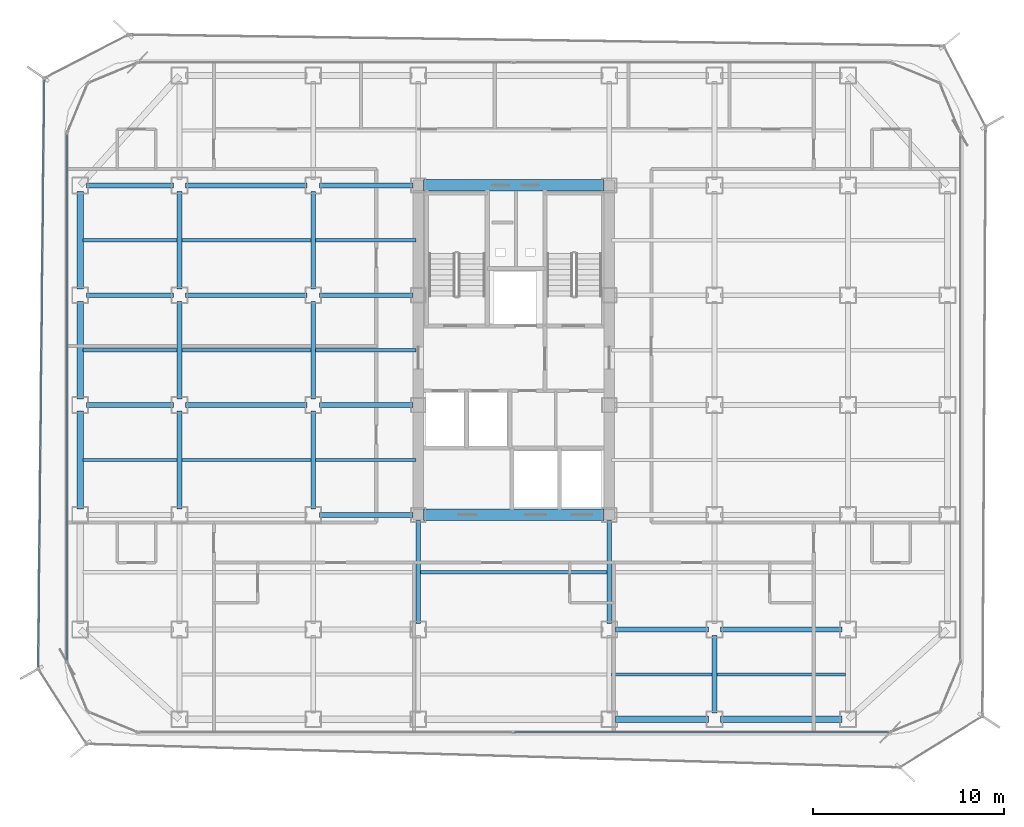
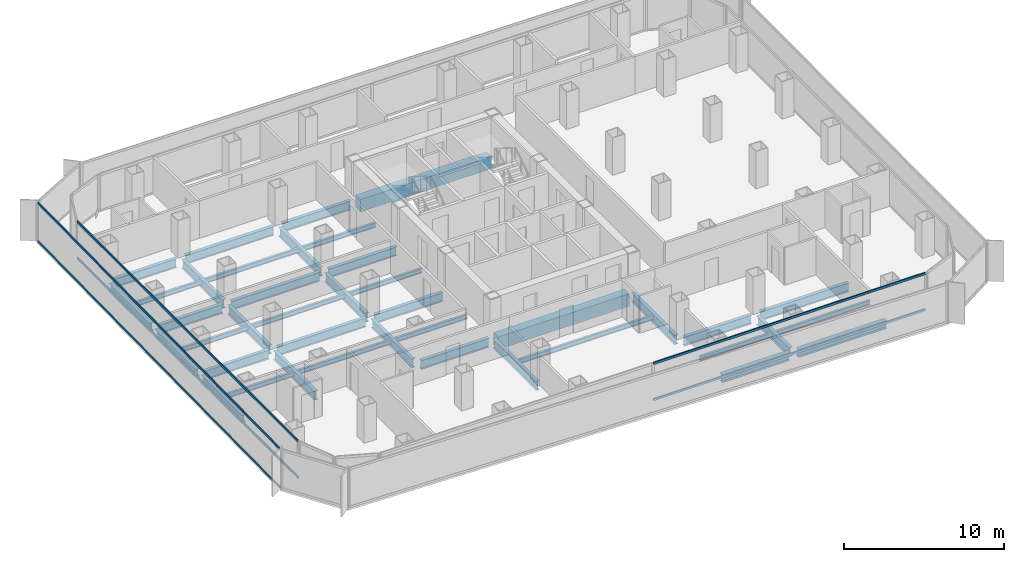
# One storey, part 5 of 21: 40 beams, 6 members, 3 elements without a shape of their own.
"""IFC4 building model written with IfcOpenShell, lengths in metres."""

import ifcopenshell
import ifcopenshell.guid

model = None  # the IFC model being written
_history = None  # IfcOwnerHistory: only IFC2X3 demands one
_inside = {}  # id of a spatial element -> (the spatial element, [elements in it])
_under = {}  # id of a project, library or spatial element -> (it, [spatial elements below it])
_declared = {}  # id of a project -> (the project, [libraries it declares])
_typed = {}  # id of a type object -> (the type object, [elements of that type])
_made_of = {}  # id of a material, layer set ... -> (it, [elements and type objects made of it])


def new_model(schema):
    """Start an empty IFC model of exactly this schema.

    Asked for "IFC4X3", IfcOpenShell would pick the latest addendum, in which some entities
    have other attributes; the version numbers below select the first issue.
    IFC2X3 requires an IfcOwnerHistory on every rooted entity: one is made here for all.
    """
    global model, _history
    if schema == "IFC4X3":
        model = ifcopenshell.file(schema_version=(4, 3, 0, 0))
    else:
        model = ifcopenshell.file(schema=schema)
    _inside.clear()
    _under.clear()
    _declared.clear()
    _typed.clear()
    _made_of.clear()
    _history = None
    if model.schema == "IFC2X3":
        org = make("IfcOrganization", Name="unknown")
        user = make(
            "IfcPersonAndOrganization",
            ThePerson=make("IfcPerson", FamilyName="unknown"),
            TheOrganization=org,
        )
        app = make(
            "IfcApplication",
            ApplicationDeveloper=org,
            Version="unknown",
            ApplicationFullName="unknown",
            ApplicationIdentifier="unknown",
        )
        _history = make(
            "IfcOwnerHistory",
            OwningUser=user,
            OwningApplication=app,
            ChangeAction="ADDED",
            CreationDate=0,
        )
    return model


def make(cls, **values):
    """One entity of the class cls with the attributes given. An attribute that is None is left unset."""
    return model.create_entity(
        cls, **{name: value for name, value in values.items() if value is not None}
    )


def rooted(cls, **values):
    """An entity with a GlobalId (a new one), such as an element, a storey or a relation."""
    return make(cls, GlobalId=ifcopenshell.guid.new(), OwnerHistory=_history, **values)


def si_unit(unit_type, name, prefix=None):
    """IfcSIUnit, for example si_unit("LENGTHUNIT", "METRE", prefix="MILLI")."""
    return make("IfcSIUnit", UnitType=unit_type, Prefix=prefix, Name=name)


def assignment(units):
    """IfcUnitAssignment: the units of a project."""
    return None if units is None else make("IfcUnitAssignment", Units=units)


def point(xyz):
    """IfcCartesianPoint."""
    return None if xyz is None else make("IfcCartesianPoint", Coordinates=xyz)


def direction(xyz):
    """IfcDirection."""
    return None if xyz is None else make("IfcDirection", DirectionRatios=xyz)


def frame(location, z_axis=None, x_axis=None):
    """IfcAxis2Placement3D, a coordinate frame: its origin and axes. An axis left out is left unset."""
    return make(
        "IfcAxis2Placement3D",
        Location=point(location),
        Axis=direction(z_axis),
        RefDirection=direction(x_axis),
    )


def frame_2d(location, x_axis=None):
    """IfcAxis2Placement2D, a coordinate frame in the plane: its origin and x axis."""
    return make(
        "IfcAxis2Placement2D", Location=point(location), RefDirection=direction(x_axis)
    )


def origin():
    """The frame at (0, 0, 0) with its axes left unset."""
    return frame((0.0, 0.0, 0.0))


def origin_2d():
    """The frame at (0, 0) in the plane with its x axis left unset."""
    return frame_2d((0.0, 0.0))


def place(relative_to, where):
    """IfcLocalPlacement: puts the frame where relative to a parent placement (None: the world)."""
    return make(
        "IfcLocalPlacement", PlacementRelTo=relative_to, RelativePlacement=where
    )


def context(
    kind, dimensions, precision=None, world=None, true_north=None, identifier=None
):
    """IfcGeometricRepresentationContext, for example the 3D "Model" context."""
    return make(
        "IfcGeometricRepresentationContext",
        ContextIdentifier=identifier,
        ContextType=kind,
        CoordinateSpaceDimension=dimensions,
        Precision=precision,
        WorldCoordinateSystem=world,
        TrueNorth=true_north,
    )


def subcontext(parent, identifier, kind, view, scale=None):
    """IfcGeometricRepresentationSubContext, for example "Body" below "Model"."""
    return make(
        "IfcGeometricRepresentationSubContext",
        ContextIdentifier=identifier,
        ContextType=kind,
        ParentContext=parent,
        TargetScale=scale,
        TargetView=view,
    )


def project(units=None, contexts=None):
    """IfcProject with its units and contexts."""
    return rooted(
        "IfcProject",
        Name="project",
        RepresentationContexts=contexts,
        UnitsInContext=assignment(units),
    )


def spatial(cls, under=None, at=None, **own):
    """A site, building, storey or space (cls), placed at a placement, below another one or the project."""
    s = rooted(cls, ObjectPlacement=at, **own)
    if under is not None:
        _under.setdefault(under.id(), (under, []))[1].append(s)
    return s


def profile(cls, at=None, kind="AREA", **sizes):
    """A parametric profile (cls). Its sizes go by their IFC names, for example OverallWidth=200.0."""
    return make(cls, ProfileType=kind, Position=at, **sizes)


def rectangle(**sizes):
    """IfcRectangleProfileDef."""
    return profile("IfcRectangleProfileDef", **sizes)


def hollow_rectangle(**sizes):
    """IfcRectangleHollowProfileDef."""
    return profile("IfcRectangleHollowProfileDef", **sizes)


def i_section(**sizes):
    """IfcIShapeProfileDef."""
    return profile("IfcIShapeProfileDef", **sizes)


def extrude(swept, where, along, depth):
    """IfcExtrudedAreaSolid: the profile swept, set in the frame where, extruded along a direction by depth."""
    return make(
        "IfcExtrudedAreaSolid",
        SweptArea=swept,
        Position=where,
        ExtrudedDirection=direction(along),
        Depth=depth,
    )


def shape(context_of_items, identifier, shape_type, items):
    """IfcShapeRepresentation: the items that make up one representation, for example the "Body"."""
    return make(
        "IfcShapeRepresentation",
        ContextOfItems=context_of_items,
        RepresentationIdentifier=identifier,
        RepresentationType=shape_type,
        Items=items,
    )


def source(mapping_origin, context_of_items, identifier, shape_type, items):
    """IfcRepresentationMap: a shape defined once, which mapped items show again and again."""
    return make(
        "IfcRepresentationMap",
        MappingOrigin=mapping_origin,
        MappedRepresentation=shape(context_of_items, identifier, shape_type, items),
    )


def transform(
    local_origin,
    x_axis=None,
    y_axis=None,
    z_axis=None,
    scale=None,
    scale2=None,
    scale3=None,
    uniform=True,
):
    """IfcCartesianTransformationOperator3D, or its non-uniform kind. x_axis, y_axis, z_axis: its Axis1, 2, 3."""
    if uniform:
        return make(
            "IfcCartesianTransformationOperator3D",
            Axis1=direction(x_axis),
            Axis2=direction(y_axis),
            LocalOrigin=point(local_origin),
            Scale=scale,
            Axis3=direction(z_axis),
        )
    return make(
        "IfcCartesianTransformationOperator3DnonUniform",
        Axis1=direction(x_axis),
        Axis2=direction(y_axis),
        LocalOrigin=point(local_origin),
        Scale=scale,
        Axis3=direction(z_axis),
        Scale2=scale2,
        Scale3=scale3,
    )


def mapped(mapping_source, mapping_target):
    """IfcMappedItem: shows the shape of a source again, moved by a transform."""
    return make(
        "IfcMappedItem", MappingSource=mapping_source, MappingTarget=mapping_target
    )


def material(Name=None, Category=None):
    """IfcMaterial."""
    return make("IfcMaterial", Name=Name, Category=Category)


def layer(
    of_material, thickness, ventilated=None, Name=None, Category=None, Priority=None
):
    """IfcMaterialLayer: one layer of a wall or slab, of a material (None: an air gap)."""
    return make(
        "IfcMaterialLayer",
        Material=of_material,
        LayerThickness=thickness,
        IsVentilated=ventilated,
        Name=Name,
        Category=Category,
        Priority=Priority,
    )


def layer_set(layers, Name=None):
    """IfcMaterialLayerSet."""
    return make("IfcMaterialLayerSet", MaterialLayers=layers, LayerSetName=Name)


def material_profile(
    of_material, cross_section, Name=None, Category=None, Priority=None
):
    """IfcMaterialProfile: a cross section and its material."""
    return make(
        "IfcMaterialProfile",
        Name=Name,
        Material=of_material,
        Profile=cross_section,
        Priority=Priority,
        Category=Category,
    )


def profile_set(profiles, Name=None, composite=None):
    """IfcMaterialProfileSet."""
    return make(
        "IfcMaterialProfileSet",
        Name=Name,
        MaterialProfiles=profiles,
        CompositeProfile=composite,
    )


def made_of(thing, what):
    """Note that an element or type object is made of a material, layer set ...; save() writes the relation."""
    if what is not None:
        _made_of.setdefault(what.id(), (what, []))[1].append(thing)
    return thing


def type_object(cls, material=None, **own):
    """A type object (cls), such as IfcWallType, which elements share."""
    return made_of(rooted(cls, **own), material)


def element(
    cls,
    number,
    at=None,
    inside=None,
    cuts=None,
    type_object=None,
    material=None,
    context=None,
    identifier="Body",
    shape_type=None,
    held_by="IfcProductDefinitionShape",
    body=None,
    shapes=None,
    **own,
):
    """One element of the class cls, such as IfcWall. Its Tag is "e" and its number.

    at: its placement. inside: the storey or other place that contains it. cuts: it is an
    opening in that element (IfcRelVoidsElement). A single representation is given by context,
    identifier, shape_type and body (its items); several are given by shapes. held_by: the class
    of the entity that holds the representations. save() writes the other relations.
    """
    e = rooted(cls, Tag="e%d" % number, ObjectPlacement=at, **own)
    if body is not None:
        shapes = [shape(context, identifier, shape_type, body)]
    if shapes is not None:
        e.Representation = make(held_by, Representations=shapes)
    if inside is not None:
        _inside.setdefault(inside.id(), (inside, []))[1].append(e)
    if cuts is not None:
        rooted(
            "IfcRelVoidsElement", RelatingBuildingElement=cuts, RelatedOpeningElement=e
        )
    if type_object is not None:
        _typed.setdefault(type_object.id(), (type_object, []))[1].append(e)
    return made_of(e, material)


def aggregate(whole, parts):
    """IfcRelAggregates: a whole, such as a stair, and the parts it consists of."""
    return rooted("IfcRelAggregates", RelatingObject=whole, RelatedObjects=parts)


def save(model, path):
    """Write the relations noted so far, then the file.

    IfcRelAggregates (storeys below a building ...), IfcRelContainedInSpatialStructure (elements
    in a storey), IfcRelDefinesByType, IfcRelAssociatesMaterial and IfcRelDeclares: one each for
    every whole, place, type object, material and project.
    """
    for whole, parts in _under.values():
        aggregate(whole, parts)
    for where, things in _inside.values():
        rooted(
            "IfcRelContainedInSpatialStructure",
            RelatedElements=things,
            RelatingStructure=where,
        )
    for kind, things in _typed.values():
        rooted("IfcRelDefinesByType", RelatedObjects=things, RelatingType=kind)
    for what, things in _made_of.values():
        rooted("IfcRelAssociatesMaterial", RelatedObjects=things, RelatingMaterial=what)
    for by, libraries in _declared.values():
        rooted("IfcRelDeclares", RelatingContext=by, RelatedDefinitions=libraries)
    model.write(path)


model = new_model("IFC4")

# Units and contexts
model_context = context("Model", 3, precision=1e-05, world=origin(), true_north=direction((0.0, 1.0)))
body_context = subcontext(model_context, "Body", "Model", "MODEL_VIEW")
ifc_project = project(units=[si_unit("LENGTHUNIT", "METRE"), si_unit("AREAUNIT", "SQUARE_METRE"), si_unit("VOLUMEUNIT", "CUBIC_METRE"), si_unit("PLANEANGLEUNIT", "RADIAN"), si_unit("MASSUNIT", "GRAM", prefix="KILO")], contexts=[model_context])

# Site, building, storey
site_placement = place(None, origin())
site = spatial("IfcSite", under=ifc_project, at=site_placement, CompositionType="ELEMENT")
building_placement = place(site_placement, origin())
building = spatial("IfcBuilding", under=site, at=building_placement, Name="Kolveth Station Tower", CompositionType="ELEMENT")
storey_placement = place(building_placement, frame((0.0, 0.0, 148.39990234375)))
storey = spatial("IfcBuildingStorey", under=building, at=storey_placement, Name="L41", CompositionType="ELEMENT", Elevation=148.39990234375)

# Beams
ifc_material_1 = material(Name="Steel S355", Category="steel")
ifc_material_profile_1 = material_profile(ifc_material_1, i_section(OverallWidth=0.323974609375, OverallDepth=0.611083984375, WebThickness=0.0126953125, FlangeThickness=0.01904296875, at=origin_2d()), Name="W610x155")
ifc_profile_set_1 = profile_set([ifc_material_profile_1], Name="Steel S355")
beam_type_1 = type_object("IfcBeamType", Name="Beam_SP2", PredefinedType="SPANDREL", material=ifc_profile_set_1)
shared_shape_1 = source(origin(), body_context, "Body", "SweptSolid", [
    extrude(i_section(OverallWidth=0.323974609375, OverallDepth=0.611083984375, WebThickness=0.0126953125, FlangeThickness=0.01904296875, at=origin_2d()), origin(), (0.0, 0.0, 1.0), 6.35986328125),
])
beam_1_placement = place(storey_placement, frame((34.320068359375, 0.800048828125, -0.555419921875), z_axis=(1.0, 0.0, 0.0), x_axis=(0.0, 1.0, 0.0)))
element("IfcBeam", 1, at=beam_1_placement, inside=storey, type_object=beam_type_1, Name="L41 Perimeter Spandrel BM-L41-PS-5", PredefinedType="SPANDREL", context=body_context, shape_type="MappedRepresentation", body=[
    mapped(shared_shape_1, transform((0.0, 0.0, 0.0), x_axis=(1.0, 0.0, 0.0), y_axis=(0.0, 1.0, 0.0), z_axis=(0.0, 0.0, 1.0), scale=1.0)),
])
shared_shape_2 = source(origin(), body_context, "Body", "SweptSolid", [
    extrude(i_section(OverallWidth=0.323974609375, OverallDepth=0.611083984375, WebThickness=0.0126953125, FlangeThickness=0.01904296875, at=origin_2d()), origin(), (0.0, 0.0, 1.0), 4.85986328125),
])
beam_2_placement = place(storey_placement, frame((28.820068359375, 0.800048828125, -0.555419921875), z_axis=(1.0, 0.0, 0.0), x_axis=(0.0, 1.0, 0.0)))
element("IfcBeam", 2, at=beam_2_placement, inside=storey, type_object=beam_type_1, Name="L41 Perimeter Spandrel BM-L41-PS-4", PredefinedType="SPANDREL", context=body_context, shape_type="MappedRepresentation", body=[
    mapped(shared_shape_2, transform((0.0, 0.0, 0.0), x_axis=(1.0, 0.0, 0.0), y_axis=(0.0, 1.0, 0.0), z_axis=(0.0, 0.0, 1.0), scale=1.0)),
])
shared_shape_3 = source(origin(), body_context, "Body", "SweptSolid", [
    extrude(i_section(OverallWidth=0.323974609375, OverallDepth=0.611083984375, WebThickness=0.0126953125, FlangeThickness=0.01904296875, at=origin_2d()), origin(), (0.0, 0.0, 1.0), 5.10986328125),
])
for number, where, z_axis, x_axis, name in (
    (3, (0.800048828125, 11.820068359375, -0.555419921875), (0.0, 1.0, 0.0), (-1.0, 0.0, 0.0), "L41 Perimeter Spandrel BM-L41-PW-2"),
    (4, (0.800048828125, 17.570068359375, -0.555419921875), (0.0, 1.0, 0.0), (-1.0, 0.0, 0.0), "L41 Perimeter Spandrel BM-L41-PW-3"),
    (5, (0.800048828125, 23.320068359375, -0.555419921875), (0.0, 1.0, 0.0), (-1.0, 0.0, 0.0), "L41 Perimeter Spandrel BM-L41-PW-4"),
):
    element("IfcBeam", number, at=place(storey_placement, frame(where, z_axis=z_axis, x_axis=x_axis)), inside=storey, type_object=beam_type_1, Name=name, PredefinedType="SPANDREL", context=body_context, shape_type="MappedRepresentation", body=[
        mapped(shared_shape_3, transform((0.0, 0.0, 0.0), x_axis=(1.0, 0.0, 0.0), y_axis=(0.0, 1.0, 0.0), z_axis=(0.0, 0.0, 1.0), scale=1.0)),
    ])
ifc_material_profile_2 = material_profile(ifc_material_1, i_section(OverallWidth=0.25390625, OverallDepth=0.68798828125, WebThickness=0.01318359375, FlangeThickness=0.02099609375, at=origin_2d()), Name="W690x152")
ifc_profile_set_2 = profile_set([ifc_material_profile_2], Name="Steel S355")
beam_type_2 = type_object("IfcBeamType", Name="Beam_B4", PredefinedType="BEAM", material=ifc_profile_set_2)
shared_shape_4 = source(origin(), body_context, "Body", "SweptSolid", [
    extrude(i_section(OverallWidth=0.25390625, OverallDepth=0.68798828125, WebThickness=0.01318359375, FlangeThickness=0.02099609375, at=origin_2d()), origin(), (0.0, 0.0, 1.0), 4.559814453125),
])
for number, where, z_axis, x_axis, name in (
    (6, (1.1201171875, 17.25, -0.593994140625), (1.0, 0.0, 0.0), (0.0, 1.0, 0.0), "L41 Primary Girder BM-L41-GY172-1"),
    (7, (1.1201171875, 23.0, -0.593994140625), (1.0, 0.0, 0.0), (0.0, 1.0, 0.0), "L41 Primary Girder BM-L41-GY230-1"),
    (8, (1.1201171875, 28.75, -0.593994140625), (1.0, 0.0, 0.0), (0.0, 1.0, 0.0), "L41 Primary Girder BM-L41-GY287-1"),
):
    element("IfcBeam", number, at=place(storey_placement, frame(where, z_axis=z_axis, x_axis=x_axis)), inside=storey, type_object=beam_type_2, Name=name, PredefinedType="BEAM", context=body_context, shape_type="MappedRepresentation", body=[
        mapped(shared_shape_4, transform((0.0, 0.0, 0.0), x_axis=(1.0, 0.0, 0.0), y_axis=(0.0, 1.0, 0.0), z_axis=(0.0, 0.0, 1.0), scale=1.0)),
    ])
shared_shape_5 = source(origin(), body_context, "Body", "SweptSolid", [
    extrude(i_section(OverallWidth=0.25390625, OverallDepth=0.68798828125, WebThickness=0.01318359375, FlangeThickness=0.02099609375, at=origin_2d()), origin(), (0.0, 0.0, 1.0), 6.35986328125),
])
for number, where, z_axis, x_axis, name in (
    (9, (34.320068359375, 5.5, -0.593994140625), (1.0, 0.0, 0.0), (0.0, 1.0, 0.0), "L41 Primary Girder BM-L41-GY55-6"),
    (10, (6.320068359375, 17.25, -0.593994140625), (1.0, 0.0, 0.0), (0.0, 1.0, 0.0), "L41 Primary Girder BM-L41-GY172-2"),
    (11, (6.320068359375, 23.0, -0.593994140625), (1.0, 0.0, 0.0), (0.0, 1.0, 0.0), "L41 Primary Girder BM-L41-GY230-2"),
    (12, (6.320068359375, 28.75, -0.593994140625), (1.0, 0.0, 0.0), (0.0, 1.0, 0.0), "L41 Primary Girder BM-L41-GY287-2"),
):
    element("IfcBeam", number, at=place(storey_placement, frame(where, z_axis=z_axis, x_axis=x_axis)), inside=storey, type_object=beam_type_2, Name=name, PredefinedType="BEAM", context=body_context, shape_type="MappedRepresentation", body=[
        mapped(shared_shape_5, transform((0.0, 0.0, 0.0), x_axis=(1.0, 0.0, 0.0), y_axis=(0.0, 1.0, 0.0), z_axis=(0.0, 0.0, 1.0), scale=1.0)),
    ])
shared_shape_6 = source(origin(), body_context, "Body", "SweptSolid", [
    extrude(i_section(OverallWidth=0.25390625, OverallDepth=0.68798828125, WebThickness=0.01318359375, FlangeThickness=0.02099609375, at=origin_2d()), origin(), (0.0, 0.0, 1.0), 4.85986328125),
])
beam_3_placement = place(storey_placement, frame((28.820068359375, 5.5, -0.593994140625), z_axis=(1.0, 0.0, 0.0), x_axis=(0.0, 1.0, 0.0)))
element("IfcBeam", 13, at=beam_3_placement, inside=storey, type_object=beam_type_2, Name="L41 Primary Girder BM-L41-GY55-5", PredefinedType="BEAM", context=body_context, shape_type="MappedRepresentation", body=[
    mapped(shared_shape_6, transform((0.0, 0.0, 0.0), x_axis=(1.0, 0.0, 0.0), y_axis=(0.0, 1.0, 0.0), z_axis=(0.0, 0.0, 1.0), scale=1.0)),
])
shared_shape_7 = source(origin(), body_context, "Body", "SweptSolid", [
    extrude(i_section(OverallWidth=0.25390625, OverallDepth=0.68798828125, WebThickness=0.01318359375, FlangeThickness=0.02099609375, at=origin_2d()), origin(), (0.0, 0.0, 1.0), 4.89990234375),
])
for number, where, z_axis, x_axis, name in (
    (14, (13.320068359375, 11.5, -0.593994140625), (1.0, 0.0, 0.0), (0.0, 1.0, 0.0), "L41 Primary Girder BM-L41-GY115-3"),
    (15, (13.320068359375, 17.25, -0.593994140625), (1.0, 0.0, 0.0), (0.0, 1.0, 0.0), "L41 Primary Girder BM-L41-GY172-3"),
    (16, (13.320068359375, 23.0, -0.593994140625), (1.0, 0.0, 0.0), (0.0, 1.0, 0.0), "L41 Primary Girder BM-L41-GY230-3"),
    (17, (13.320068359375, 28.75, -0.593994140625), (1.0, 0.0, 0.0), (0.0, 1.0, 0.0), "L41 Primary Girder BM-L41-GY287-3"),
):
    element("IfcBeam", number, at=place(storey_placement, frame(where, z_axis=z_axis, x_axis=x_axis)), inside=storey, type_object=beam_type_2, Name=name, PredefinedType="BEAM", context=body_context, shape_type="MappedRepresentation", body=[
        mapped(shared_shape_7, transform((0.0, 0.0, 0.0), x_axis=(1.0, 0.0, 0.0), y_axis=(0.0, 1.0, 0.0), z_axis=(0.0, 0.0, 1.0), scale=1.0)),
    ])
ifc_material_2 = material(Name="Concrete C60/75", Category="concrete")
ifc_material_profile_3 = material_profile(ifc_material_2, rectangle(XDim=0.60009765625, YDim=0.949951171875, at=origin_2d()), Name="RC-600x950")
ifc_profile_set_3 = profile_set([ifc_material_profile_3], Name="Concrete C60/75")
beam_type_3 = type_object("IfcBeamType", Name="Beam_CB1", PredefinedType="BEAM", material=ifc_profile_set_3)
shared_shape_8 = source(origin(), body_context, "Body", "SweptSolid", [
    extrude(rectangle(XDim=0.60009765625, YDim=0.949951171875, at=origin_2d()), origin(), (0.0, 0.0, 1.0), 9.43994140625),
])
for number, where, z_axis, x_axis, name in (
    (18, (18.780029296875, 11.5, -0.724853515625), (1.0, 0.0, 0.0), (0.0, 1.0, 0.0), "L41 Core Coupling Beam BM-L41-CB-Y115"),
    (19, (18.780029296875, 28.75, -0.724853515625), (1.0, 0.0, 0.0), (0.0, 1.0, 0.0), "L41 Core Coupling Beam BM-L41-CB-Y287"),
):
    element("IfcBeam", number, at=place(storey_placement, frame(where, z_axis=z_axis, x_axis=x_axis)), inside=storey, type_object=beam_type_3, Name=name, PredefinedType="BEAM", context=body_context, shape_type="MappedRepresentation", body=[
        mapped(shared_shape_8, transform((0.0, 0.0, 0.0), x_axis=(1.0, 0.0, 0.0), y_axis=(0.0, 1.0, 0.0), z_axis=(0.0, 0.0, 1.0), scale=1.0)),
    ])
shared_shape_9 = source(origin(), body_context, "Body", "SweptSolid", [
    extrude(i_section(OverallWidth=0.25390625, OverallDepth=0.68798828125, WebThickness=0.01318359375, FlangeThickness=0.02099609375, at=origin_2d()), origin(), (0.0, 0.0, 1.0), 4.059814453125),
])
beam_4_placement = place(storey_placement, frame((34.0, 1.1201171875, -0.593994140625), z_axis=(0.0, 1.0, 0.0), x_axis=(-1.0, 0.0, 0.0)))
element("IfcBeam", 20, at=beam_4_placement, inside=storey, type_object=beam_type_2, Name="L41 Primary Girder BM-L41-GX340-1", PredefinedType="BEAM", context=body_context, shape_type="MappedRepresentation", body=[
    mapped(shared_shape_9, transform((0.0, 0.0, 0.0), x_axis=(1.0, 0.0, 0.0), y_axis=(0.0, 1.0, 0.0), z_axis=(0.0, 0.0, 1.0), scale=1.0)),
])
shared_shape_10 = source(origin(), body_context, "Body", "SweptSolid", [
    extrude(i_section(OverallWidth=0.25390625, OverallDepth=0.68798828125, WebThickness=0.01318359375, FlangeThickness=0.02099609375, at=origin_2d()), origin(), (0.0, 0.0, 1.0), 5.10986328125),
])
for number, where, z_axis, x_axis, name in (
    (21, (6.0, 11.820068359375, -0.593994140625), (0.0, 1.0, 0.0), (-1.0, 0.0, 0.0), "L41 Primary Girder BM-L41-GX60-3"),
    (22, (6.0, 17.570068359375, -0.593994140625), (0.0, 1.0, 0.0), (-1.0, 0.0, 0.0), "L41 Primary Girder BM-L41-GX60-4"),
    (23, (6.0, 23.320068359375, -0.593994140625), (0.0, 1.0, 0.0), (-1.0, 0.0, 0.0), "L41 Primary Girder BM-L41-GX60-5"),
    (24, (13.0, 11.820068359375, -0.593994140625), (0.0, 1.0, 0.0), (-1.0, 0.0, 0.0), "L41 Primary Girder BM-L41-GX130-3"),
    (25, (13.0, 17.570068359375, -0.593994140625), (0.0, 1.0, 0.0), (-1.0, 0.0, 0.0), "L41 Primary Girder BM-L41-GX130-4"),
    (26, (13.0, 23.320068359375, -0.593994140625), (0.0, 1.0, 0.0), (-1.0, 0.0, 0.0), "L41 Primary Girder BM-L41-GX130-5"),
):
    element("IfcBeam", number, at=place(storey_placement, frame(where, z_axis=z_axis, x_axis=x_axis)), inside=storey, type_object=beam_type_2, Name=name, PredefinedType="BEAM", context=body_context, shape_type="MappedRepresentation", body=[
        mapped(shared_shape_10, transform((0.0, 0.0, 0.0), x_axis=(1.0, 0.0, 0.0), y_axis=(0.0, 1.0, 0.0), z_axis=(0.0, 0.0, 1.0), scale=1.0)),
    ])
shared_shape_11 = source(origin(), body_context, "Body", "SweptSolid", [
    extrude(i_section(OverallWidth=0.25390625, OverallDepth=0.68798828125, WebThickness=0.01318359375, FlangeThickness=0.02099609375, at=origin_2d()), origin(), (0.0, 0.0, 1.0), 5.39990234375),
])
for number, where, z_axis, x_axis, name in (
    (27, (18.5, 5.820068359375, -0.593994140625), (0.0, 1.0, 0.0), (-1.0, 0.0, 0.0), "L41 Primary Girder BM-L41-GX185-2"),
    (28, (28.5, 5.820068359375, -0.593994140625), (0.0, 1.0, 0.0), (-1.0, 0.0, 0.0), "L41 Primary Girder BM-L41-GX285-2"),
):
    element("IfcBeam", number, at=place(storey_placement, frame(where, z_axis=z_axis, x_axis=x_axis)), inside=storey, type_object=beam_type_2, Name=name, PredefinedType="BEAM", context=body_context, shape_type="MappedRepresentation", body=[
        mapped(shared_shape_11, transform((0.0, 0.0, 0.0), x_axis=(1.0, 0.0, 0.0), y_axis=(0.0, 1.0, 0.0), z_axis=(0.0, 0.0, 1.0), scale=1.0)),
    ])
ifc_material_profile_4 = material_profile(ifc_material_1, i_section(OverallWidth=0.1708984375, OverallDepth=0.35205078125, WebThickness=0.0068359375, FlangeThickness=0.009765625, at=origin_2d()), Name="W360x44")
ifc_profile_set_4 = profile_set([ifc_material_profile_4], Name="Steel S355")
beam_type_4 = type_object("IfcBeamType", Name="Beam_J2", PredefinedType="JOIST", material=ifc_profile_set_4)
shared_shape_12 = source(origin(), body_context, "Body", "SweptSolid", [
    extrude(i_section(OverallWidth=0.1708984375, OverallDepth=0.35205078125, WebThickness=0.0068359375, FlangeThickness=0.009765625, at=origin_2d()), origin(), (0.0, 0.0, 1.0), 4.9150390625),
])
for number, where, z_axis, x_axis, name in (
    (29, (0.9599609375, 14.375, -0.42578125), (1.0, 0.0, 0.0), (0.0, 1.0, 0.0), "L41 Secondary Joist JST-L41-1-3"),
    (30, (0.9599609375, 20.125, -0.42578125), (1.0, 0.0, 0.0), (0.0, 1.0, 0.0), "L41 Secondary Joist JST-L41-1-4"),
    (31, (0.9599609375, 25.875, -0.42578125), (1.0, 0.0, 0.0), (0.0, 1.0, 0.0), "L41 Secondary Joist JST-L41-1-5"),
):
    element("IfcBeam", number, at=place(storey_placement, frame(where, z_axis=z_axis, x_axis=x_axis)), inside=storey, type_object=beam_type_4, Name=name, PredefinedType="JOIST", context=body_context, shape_type="MappedRepresentation", body=[
        mapped(shared_shape_12, transform((0.0, 0.0, 0.0), x_axis=(1.0, 0.0, 0.0), y_axis=(0.0, 1.0, 0.0), z_axis=(0.0, 0.0, 1.0), scale=1.0)),
    ])
shared_shape_13 = source(origin(), body_context, "Body", "SweptSolid", [
    extrude(i_section(OverallWidth=0.1708984375, OverallDepth=0.35205078125, WebThickness=0.0068359375, FlangeThickness=0.009765625, at=origin_2d()), origin(), (0.0, 0.0, 1.0), 6.75),
])
for number, where, z_axis, x_axis, name in (
    (32, (6.125, 14.375, -0.42578125), (1.0, 0.0, 0.0), (0.0, 1.0, 0.0), "L41 Secondary Joist JST-L41-2-3"),
    (33, (6.125, 20.125, -0.42578125), (1.0, 0.0, 0.0), (0.0, 1.0, 0.0), "L41 Secondary Joist JST-L41-2-4"),
    (34, (6.125, 25.875, -0.42578125), (1.0, 0.0, 0.0), (0.0, 1.0, 0.0), "L41 Secondary Joist JST-L41-2-5"),
    (35, (34.125, 3.14990234375, -0.42578125), (1.0, 0.0, 0.0), (0.0, 1.0, 0.0), "L41 Secondary Joist JST-L41-6-1"),
):
    element("IfcBeam", number, at=place(storey_placement, frame(where, z_axis=z_axis, x_axis=x_axis)), inside=storey, type_object=beam_type_4, Name=name, PredefinedType="JOIST", context=body_context, shape_type="MappedRepresentation", body=[
        mapped(shared_shape_13, transform((0.0, 0.0, 0.0), x_axis=(1.0, 0.0, 0.0), y_axis=(0.0, 1.0, 0.0), z_axis=(0.0, 0.0, 1.0), scale=1.0)),
    ])
shared_shape_14 = source(origin(), body_context, "Body", "SweptSolid", [
    extrude(i_section(OverallWidth=0.1708984375, OverallDepth=0.35205078125, WebThickness=0.0068359375, FlangeThickness=0.009765625, at=origin_2d()), origin(), (0.0, 0.0, 1.0), 5.25),
])
for number, where, z_axis, x_axis, name in (
    (36, (13.125, 14.375, -0.42578125), (1.0, 0.0, 0.0), (0.0, 1.0, 0.0), "L41 Secondary Joist JST-L41-3-3"),
    (37, (13.125, 20.125, -0.42578125), (1.0, 0.0, 0.0), (0.0, 1.0, 0.0), "L41 Secondary Joist JST-L41-3-4"),
    (38, (13.125, 25.875, -0.42578125), (1.0, 0.0, 0.0), (0.0, 1.0, 0.0), "L41 Secondary Joist JST-L41-3-5"),
    (39, (28.625, 3.14990234375, -0.42578125), (1.0, 0.0, 0.0), (0.0, 1.0, 0.0), "L41 Secondary Joist JST-L41-5-1"),
):
    element("IfcBeam", number, at=place(storey_placement, frame(where, z_axis=z_axis, x_axis=x_axis)), inside=storey, type_object=beam_type_4, Name=name, PredefinedType="JOIST", context=body_context, shape_type="MappedRepresentation", body=[
        mapped(shared_shape_14, transform((0.0, 0.0, 0.0), x_axis=(1.0, 0.0, 0.0), y_axis=(0.0, 1.0, 0.0), z_axis=(0.0, 0.0, 1.0), scale=1.0)),
    ])
shared_shape_15 = source(origin(), body_context, "Body", "SweptSolid", [
    extrude(i_section(OverallWidth=0.1708984375, OverallDepth=0.35205078125, WebThickness=0.0068359375, FlangeThickness=0.009765625, at=origin_2d()), origin(), (0.0, 0.0, 1.0), 9.75),
])
beam_5_placement = place(storey_placement, frame((18.625, 8.5, -0.42578125), z_axis=(1.0, 0.0, 0.0), x_axis=(0.0, 1.0, 0.0)))
element("IfcBeam", 40, at=beam_5_placement, inside=storey, type_object=beam_type_4, Name="L41 Secondary Joist JST-L41-4-2", PredefinedType="JOIST", context=body_context, shape_type="MappedRepresentation", body=[
    mapped(shared_shape_15, transform((0.0, 0.0, 0.0), x_axis=(1.0, 0.0, 0.0), y_axis=(0.0, 1.0, 0.0), z_axis=(0.0, 0.0, 1.0), scale=1.0)),
])

# Curtain wall, members
ifc_material_3 = material(Name="Aluminium 6063-T6 and low-E dark glass", Category="aluminium")
ifc_layer_1 = layer(ifc_material_3, 0.18994140625)
ifc_layer_set_1 = layer_set([ifc_layer_1], Name="Aluminium 6063-T6 and low-E dark glass")
curtain_wall_type_1 = type_object("IfcCurtainWallType", Name="CurtainWall_CW-Z2", PredefinedType="NOTDEFINED", material=ifc_layer_set_1)
curtain_wall_1_placement = place(storey_placement, origin())
curtain_wall_1 = element("IfcCurtainWall", 41, at=curtain_wall_1_placement, inside=storey, type_object=curtain_wall_type_1, Name="L41 Inner Thermal Curtain Wall 9", PredefinedType="NOTDEFINED")
ifc_material_4 = material(Name="Black anodized aluminium 6063-T6", Category="aluminium")
ifc_material_profile_5 = material_profile(ifc_material_4, hollow_rectangle(XDim=0.080078125, YDim=0.169921875, WallThickness=0.0048828125, at=origin_2d()), Name="ALU-80x170x5")
ifc_profile_set_5 = profile_set([ifc_material_profile_5], Name="Black anodized aluminium 6063-T6")
member_type_1 = type_object("IfcMemberType", Name="Transom_TR2", PredefinedType="USERDEFINED", material=ifc_profile_set_5)
shared_shape_16 = source(origin(), body_context, "Body", "SweptSolid", [
    extrude(hollow_rectangle(XDim=0.080078125, YDim=0.169921875, WallThickness=0.0048828125, at=origin_2d()), origin(), (0.0, 0.0, 1.0), 27.5400390625),
])
member_1_placement = place(storey_placement, frame((0.1201171875, 31.419921875, 0.0400390625), z_axis=(0.0, -1.0, 0.0), x_axis=(1.0, 0.0, 0.0)))
member_1 = element("IfcMember", 42, at=member_1_placement, type_object=member_type_1, Name="CW-Z2 transom 1.1", ObjectType="TRANSOM", PredefinedType="USERDEFINED", context=body_context, shape_type="MappedRepresentation", body=[
    mapped(shared_shape_16, transform((0.0, 0.0, 0.0), x_axis=(1.0, 0.0, 0.0), y_axis=(0.0, 1.0, 0.0), z_axis=(0.0, 0.0, 1.0), scale=1.0)),
])
member_2_placement = place(storey_placement, frame((0.1201171875, 31.419921875, 2.800048828125), z_axis=(0.0, -1.0, 0.0), x_axis=(1.0, 0.0, 0.0)))
member_2 = element("IfcMember", 43, at=member_2_placement, type_object=member_type_1, Name="CW-Z2 transom 1.2", ObjectType="TRANSOM", PredefinedType="USERDEFINED", context=body_context, shape_type="MappedRepresentation", body=[
    mapped(shared_shape_16, transform((0.0, 0.0, 0.0), x_axis=(1.0, 0.0, 0.0), y_axis=(0.0, 1.0, 0.0), z_axis=(0.0, 0.0, 1.0), scale=1.0)),
])
aggregate(curtain_wall_1, [member_1, member_2])

curtain_wall_2_placement = place(storey_placement, origin())
curtain_wall_2 = element("IfcCurtainWall", 44, at=curtain_wall_2_placement, inside=storey, type_object=curtain_wall_type_1, Name="L41 Inner Thermal Curtain Wall 12", PredefinedType="NOTDEFINED")
shared_shape_17 = source(origin(), body_context, "Body", "SweptSolid", [
    extrude(hollow_rectangle(XDim=0.080078125, YDim=0.169921875, WallThickness=0.0048828125, at=origin_2d()), origin(), (0.0, 0.0, 1.0), 19.580078125),
])
member_3_placement = place(storey_placement, frame((23.5400390625, 0.1201171875, 0.0400390625), z_axis=(1.0, 0.0, 0.0), x_axis=(0.0, 1.0, 0.0)))
member_3 = element("IfcMember", 45, at=member_3_placement, type_object=member_type_1, Name="CW-Z2 transom 2.1", ObjectType="TRANSOM", PredefinedType="USERDEFINED", context=body_context, shape_type="MappedRepresentation", body=[
    mapped(shared_shape_17, transform((0.0, 0.0, 0.0), x_axis=(1.0, 0.0, 0.0), y_axis=(0.0, 1.0, 0.0), z_axis=(0.0, 0.0, 1.0), scale=1.0)),
])
member_4_placement = place(storey_placement, frame((23.5400390625, 0.1201171875, 2.800048828125), z_axis=(1.0, 0.0, 0.0), x_axis=(0.0, 1.0, 0.0)))
member_4 = element("IfcMember", 46, at=member_4_placement, type_object=member_type_1, Name="CW-Z2 transom 2.2", ObjectType="TRANSOM", PredefinedType="USERDEFINED", context=body_context, shape_type="MappedRepresentation", body=[
    mapped(shared_shape_17, transform((0.0, 0.0, 0.0), x_axis=(1.0, 0.0, 0.0), y_axis=(0.0, 1.0, 0.0), z_axis=(0.0, 0.0, 1.0), scale=1.0)),
])
aggregate(curtain_wall_2, [member_3, member_4])

ifc_material_5 = material(Name="Black anodized aluminium 6063-T6 and dark solar glass", Category="aluminium")
ifc_layer_2 = layer(ifc_material_5, 0.159912109375)
ifc_layer_set_2 = layer_set([ifc_layer_2], Name="Black anodized aluminium 6063-T6 and dark solar glass")
curtain_wall_type_2 = type_object("IfcCurtainWallType", Name="OUTER SKIN CW-OS", PredefinedType="NOTDEFINED", material=ifc_layer_set_2)
curtain_wall_3_placement = place(storey_placement, origin())
curtain_wall_3 = element("IfcCurtainWall", 47, at=curtain_wall_3_placement, inside=storey, type_object=curtain_wall_type_2, Name="L41 Outer Ventilated Skin Curtain Wall 6", PredefinedType="NOTDEFINED")
ifc_material_profile_6 = material_profile(ifc_material_4, hollow_rectangle(XDim=0.080078125, YDim=0.14990234375, WallThickness=0.0048828125, at=origin_2d()), Name="ALU-80x150x5")
ifc_profile_set_6 = profile_set([ifc_material_profile_6], Name="Black anodized aluminium 6063-T6")
member_type_2 = type_object("IfcMemberType", Name="Transom_TR-OS", PredefinedType="USERDEFINED", material=ifc_profile_set_6)
shared_shape_18 = source(origin(), body_context, "Body", "SweptSolid", [
    extrude(hollow_rectangle(XDim=0.080078125, YDim=0.14990234375, WallThickness=0.0048828125, at=origin_2d()), origin(), (0.0, 0.0, 1.0), 30.7333984375),
])
member_5_placement = place(storey_placement, frame((-1.083251953125, 34.266845703125, 0.0400390625), z_axis=(-0.010112449426, -0.999948867876, 0.0), x_axis=(0.999948867876, -0.010112449426, 0.0)))
member_5 = element("IfcMember", 48, at=member_5_placement, type_object=member_type_2, Name="CW-OS transom 1.1", ObjectType="TRANSOM", PredefinedType="USERDEFINED", context=body_context, shape_type="MappedRepresentation", body=[
    mapped(shared_shape_18, transform((0.0, 0.0, 0.0), x_axis=(1.0, 0.0, 0.0), y_axis=(0.0, 1.0, 0.0), z_axis=(0.0, 0.0, 1.0), scale=1.0)),
])
member_6_placement = place(storey_placement, frame((-1.083251953125, 34.266845703125, 2.9501953125), z_axis=(-0.010112449426, -0.999948867876, 0.0), x_axis=(0.999948867876, -0.010112449426, 0.0)))
member_6 = element("IfcMember", 49, at=member_6_placement, type_object=member_type_2, Name="CW-OS transom 1.2", ObjectType="TRANSOM", PredefinedType="USERDEFINED", context=body_context, shape_type="MappedRepresentation", body=[
    mapped(shared_shape_18, transform((0.0, 0.0, 0.0), x_axis=(1.0, 0.0, 0.0), y_axis=(0.0, 1.0, 0.0), z_axis=(0.0, 0.0, 1.0), scale=1.0)),
])
aggregate(curtain_wall_3, [member_5, member_6])

save(model, "model.ifc")
